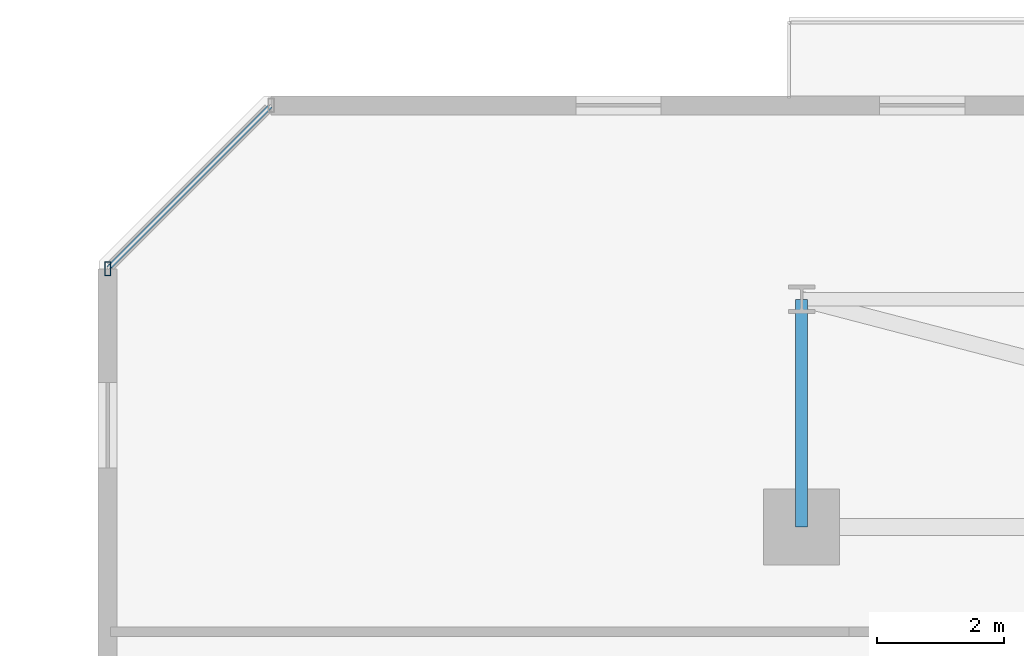
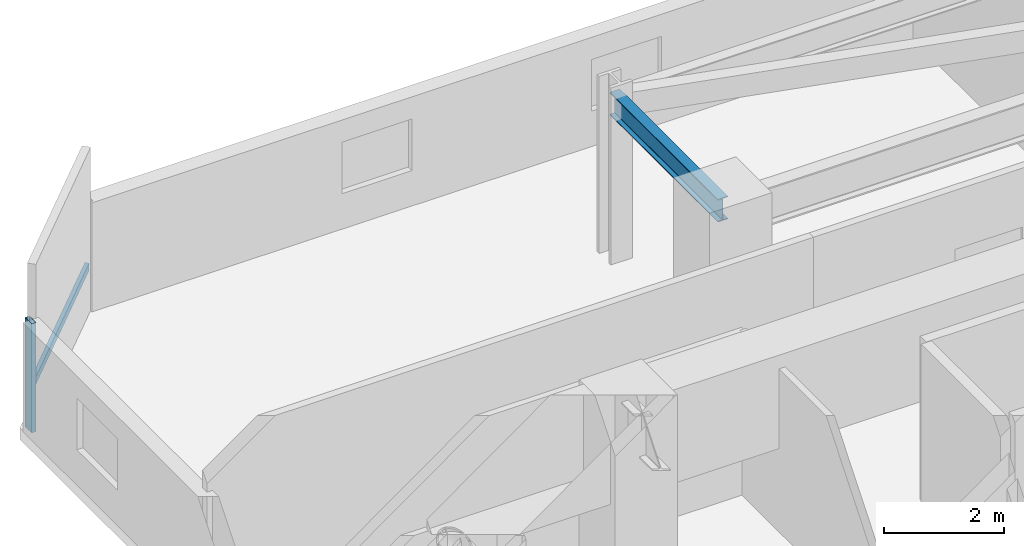
# One storey, part 7 of 36: 2 members, 1 beam, 1 element without a shape of its own.
"""IFC4 building model written with IfcOpenShell, lengths in metres."""

from ifc_helpers import new_model, si_unit, direction, frame, origin, origin_2d, place, context, subcontext, project, spatial, hollow_rectangle, i_section, extrude, material, material_profile, profile_set, type_object, element, aggregate, save


model = new_model("IFC4")

# Units and contexts
model_context = context("Model", 3, precision=1e-05, world=origin(), true_north=direction((0.0, 1.0)))
body_context = subcontext(model_context, "Body", "Model", "MODEL_VIEW")
ifc_project = project(units=[si_unit("LENGTHUNIT", "METRE"), si_unit("AREAUNIT", "SQUARE_METRE"), si_unit("VOLUMEUNIT", "CUBIC_METRE"), si_unit("PLANEANGLEUNIT", "RADIAN"), si_unit("MASSUNIT", "GRAM", prefix="KILO")], contexts=[model_context])

# Site, building, storey
site_placement = place(None, origin())
site = spatial("IfcSite", under=ifc_project, at=site_placement, CompositionType="ELEMENT")
building_placement = place(site_placement, origin())
building = spatial("IfcBuilding", under=site, at=building_placement, Name="Thornwick Lancets Civic Towers", CompositionType="ELEMENT")
storey_placement = place(building_placement, frame((0.0, 0.0, 116.10009765625)))
storey = spatial("IfcBuildingStorey", under=building, at=storey_placement, Name="L30", CompositionType="ELEMENT", Elevation=116.10009765625)

# Beam
ifc_material_1 = material(Name="Steel S355JR", Category="steel")
ifc_material_profile_1 = material_profile(ifc_material_1, i_section(OverallWidth=0.19189453125, OverallDepth=0.46337890625, WebThickness=0.010498046875, FlangeThickness=0.017578125, FilletRadius=0.01025390625, at=origin_2d()), Name="UKB 457x191x89")
ifc_profile_set_1 = profile_set([ifc_material_profile_1], Name="Steel S355JR")
beam_type = type_object("IfcBeamType", Name="BM_JOIST_457_89", PredefinedType="JOIST", material=ifc_profile_set_1)
beam_placement = place(storey_placement, frame((12.5, 44.300048828125, 3.108154296875), z_axis=(0.0, 1.0, 0.0), x_axis=(-1.0, 0.0, 0.0)))
element("IfcBeam", 1, at=beam_placement, inside=storey, type_object=beam_type, Name="BM-RAD-L30-A07", PredefinedType="JOIST", context=body_context, shape_type="SweptSolid", body=[
    extrude(i_section(OverallWidth=0.19189453125, OverallDepth=0.46337890625, WebThickness=0.010498046875, FlangeThickness=0.017578125, FilletRadius=0.01025390625, at=origin_2d()), origin(), (0.0, 0.0, 1.0), 3.599853515625),
])

# Curtain wall, members
ifc_material_2 = material(Name="Low-zone chamfered-corner unitised glass curtain wall", Category="glass")
curtain_wall_type = type_object("IfcCurtainWallType", Name="CW_SYS_03", PredefinedType="NOTDEFINED", material=ifc_material_2)
curtain_wall_placement = place(storey_placement, origin())
curtain_wall = element("IfcCurtainWall", 2, at=curtain_wall_placement, inside=storey, type_object=curtain_wall_type, Name="L30 Curtain Wall CW-L30-A-E5", PredefinedType="NOTDEFINED")
ifc_material_3 = material(Name="Thermally broken bronze aluminium S355", Category="steel")
ifc_material_profile_2 = material_profile(ifc_material_3, hollow_rectangle(XDim=0.090087890625, YDim=0.219970703125, WallThickness=0.00634765625, at=origin_2d()), Name="RHS 220x90x6.3")
ifc_profile_set_2 = profile_set([ifc_material_profile_2], Name="Thermally broken bronze aluminium S355")
member_type_1 = type_object("IfcMemberType", Name="CW_MUL_220", PredefinedType="MULLION", material=ifc_profile_set_2)
member_1_placement = place(storey_placement, frame((1.535400390625, 48.38134765625, 0.0), z_axis=(0.0, 0.0, 1.0), x_axis=(1.0, 0.0, 0.0)))
member_1 = element("IfcMember", 3, at=member_1_placement, type_object=member_type_1, Name="CW-L30-A-E5 Mullion 1", PredefinedType="MULLION", context=body_context, shape_type="SweptSolid", body=[
    extrude(hollow_rectangle(XDim=0.090087890625, YDim=0.219970703125, WallThickness=0.00634765625, at=origin_2d()), origin(), (0.0, 0.0, 1.0), 2.219970703125),
])
ifc_material_profile_3 = material_profile(ifc_material_3, hollow_rectangle(XDim=0.074951171875, YDim=0.14990234375, WallThickness=0.0048828125, at=origin_2d()), Name="RHS 150x75x5")
ifc_profile_set_3 = profile_set([ifc_material_profile_3], Name="Thermally broken bronze aluminium S355")
member_type_2 = type_object("IfcMemberType", Name="CW_TRN_150", PredefinedType="USERDEFINED", material=ifc_profile_set_3)
member_2_placement = place(storey_placement, frame((4.1044921875, 50.95068359375, 0.849853515625), z_axis=(-0.707106781187, -0.707106781187, 0.0), x_axis=(0.707106781187, -0.707106781187, 0.0)))
member_2 = element("IfcMember", 4, at=member_2_placement, type_object=member_type_2, Name="CW-L30-A-E5 Transom 0", ObjectType="TRANSOM", PredefinedType="USERDEFINED", context=body_context, shape_type="SweptSolid", body=[
    extrude(hollow_rectangle(XDim=0.074951171875, YDim=0.14990234375, WallThickness=0.0048828125, at=origin_2d()), origin(), (0.0, 0.0, 1.0), 3.613525390625),
])
aggregate(curtain_wall, [member_1, member_2])

save(model, "model.ifc")
